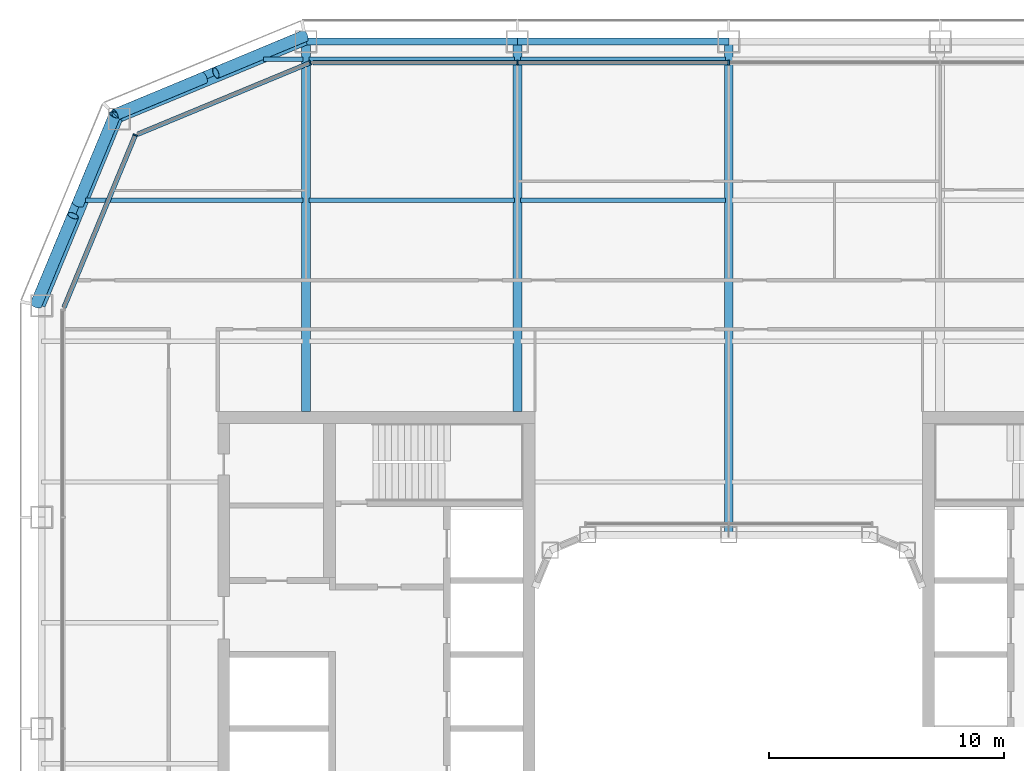
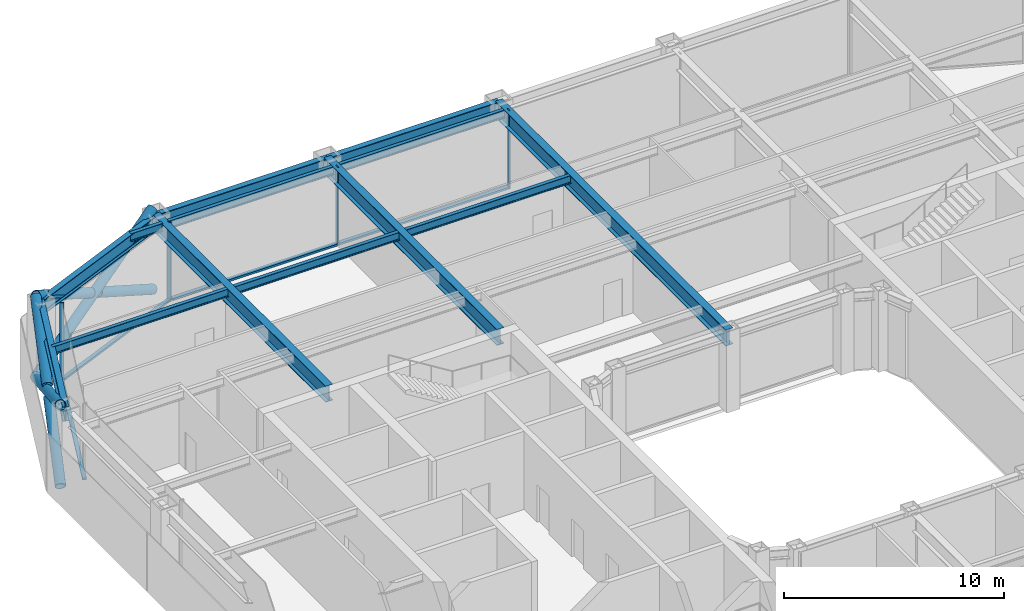
# One storey, part 7 of 21: 14 members, 13 beams, 3 elements without a shape of their own.
"""IFC4 building model written with IfcOpenShell, lengths in metres."""

from ifc_helpers import new_model, si_unit, direction, frame, origin, origin_2d, place, context, subcontext, project, spatial, rectangle, hollow_circle, i_section, extrude, material, layer, layer_set, material_profile, profile_set, type_object, element, aggregate, save


model = new_model("IFC4")

# Units and contexts
model_context = context("Model", 3, precision=1e-05, world=origin(), true_north=direction((0.0, 1.0)))
body_context = subcontext(model_context, "Body", "Model", "MODEL_VIEW")
ifc_project = project(units=[si_unit("LENGTHUNIT", "METRE"), si_unit("AREAUNIT", "SQUARE_METRE"), si_unit("VOLUMEUNIT", "CUBIC_METRE"), si_unit("PLANEANGLEUNIT", "RADIAN"), si_unit("MASSUNIT", "GRAM", prefix="KILO")], contexts=[model_context])

# Site, building, storey
site_placement = place(None, origin())
site = spatial("IfcSite", under=ifc_project, at=site_placement, CompositionType="ELEMENT")
building_placement = place(site_placement, origin())
building = spatial("IfcBuilding", under=site, at=building_placement, Name="Siwar Civic Tower", CompositionType="ELEMENT")
storey_placement = place(building_placement, frame((0.0, 0.0, 104.699951171875)))
storey = spatial("IfcBuildingStorey", under=building, at=storey_placement, Name="L22", CompositionType="ELEMENT", Elevation=104.699951171875)

# Curtain wall, members
ifc_material_1 = material(Name="Aluminium and glass", Category="aluminium")
ifc_layer_1 = layer(ifc_material_1, 0.199951171875)
ifc_layer_set_1 = layer_set([ifc_layer_1], Name="Aluminium and glass")
curtain_wall_type_1 = type_object("IfcCurtainWallType", Name="ENV-CW-B", PredefinedType="NOTDEFINED", material=ifc_layer_set_1)
curtain_wall_1_placement = place(storey_placement, origin())
curtain_wall_1 = element("IfcCurtainWall", 1, at=curtain_wall_1_placement, inside=storey, type_object=curtain_wall_type_1, Name="Curtain wall B N", PredefinedType="NOTDEFINED")
ifc_material_2 = material(Name="Aluminium 6063-T6", Category="aluminium")
ifc_material_profile_1 = material_profile(ifc_material_2, rectangle(XDim=0.199951171875, YDim=0.06494140625, at=origin_2d()), Name="AL 200x65")
ifc_profile_set_1 = profile_set([ifc_material_profile_1], Name="Aluminium 6063-T6")
member_type_1 = type_object("IfcMemberType", Name="ENV-MULLION-B", PredefinedType="MULLION", material=ifc_profile_set_1)
member_1_placement = place(storey_placement, frame((0.0, 28.35009765625, 0.0), z_axis=(0.0, 0.0, 1.0), x_axis=(0.0, -1.0, 0.0)))
member_1 = element("IfcMember", 2, at=member_1_placement, type_object=member_type_1, Name="Mullion B N 3", PredefinedType="MULLION", context=body_context, shape_type="SweptSolid", body=[
    extrude(rectangle(XDim=0.199951171875, YDim=0.06494140625, at=origin_2d()), origin(), (0.0, 0.0, 1.0), 4.35009765625),
])
member_2_placement = place(storey_placement, frame((-9.0, 28.35009765625, 0.0), z_axis=(0.0, 0.0, 1.0), x_axis=(0.0, -1.0, 0.0)))
member_2 = element("IfcMember", 3, at=member_2_placement, type_object=member_type_1, Name="Mullion B N 4", PredefinedType="MULLION", context=body_context, shape_type="SweptSolid", body=[
    extrude(rectangle(XDim=0.199951171875, YDim=0.06494140625, at=origin_2d()), origin(), (0.0, 0.0, 1.0), 4.35009765625),
])

# Curtain wall, member
ifc_material_3 = material(Name="Aluminium clad insulated panel", Category="aluminium")
ifc_layer_2 = layer(ifc_material_3, 0.199951171875)
ifc_layer_set_2 = layer_set([ifc_layer_2], Name="Aluminium clad insulated panel")
curtain_wall_type_2 = type_object("IfcCurtainWallType", Name="ENV-CW-BX", PredefinedType="NOTDEFINED", material=ifc_layer_set_2)
curtain_wall_2_placement = place(storey_placement, origin())
curtain_wall_2 = element("IfcCurtainWall", 4, at=curtain_wall_2_placement, inside=storey, type_object=curtain_wall_type_2, Name="Curtain wall B NW1", PredefinedType="NOTDEFINED")
member_3_placement = place(storey_placement, frame((-17.821044921875, 28.35009765625, 0.0), z_axis=(0.0, 0.0, 1.0), x_axis=(0.382683432365, -0.923879532511, 0.0)))
member_3 = element("IfcMember", 5, at=member_3_placement, type_object=member_type_1, Name="Mullion B NW1 1", PredefinedType="MULLION", context=body_context, shape_type="SweptSolid", body=[
    extrude(rectangle(XDim=0.199951171875, YDim=0.06494140625, at=origin_2d()), origin(), (0.0, 0.0, 1.0), 4.35009765625),
])

curtain_wall_3_placement = place(storey_placement, origin())
curtain_wall_3 = element("IfcCurtainWall", 6, at=curtain_wall_3_placement, inside=storey, type_object=curtain_wall_type_2, Name="Curtain wall B NW2", PredefinedType="NOTDEFINED")
member_4_placement = place(storey_placement, frame((-25.26611328125, 25.26611328125, 0.0), z_axis=(0.0, 0.0, 1.0), x_axis=(0.923879532511, -0.382683432365, 0.0)))
member_4 = element("IfcMember", 7, at=member_4_placement, type_object=member_type_1, Name="Mullion B NW2 1", PredefinedType="MULLION", context=body_context, shape_type="SweptSolid", body=[
    extrude(rectangle(XDim=0.199951171875, YDim=0.06494140625, at=origin_2d()), origin(), (0.0, 0.0, 1.0), 4.35009765625),
])

# Member
ifc_material_4 = material(Name="Aluminium 6063-T6", Category="aluminium")
ifc_material_profile_2 = material_profile(ifc_material_4, rectangle(XDim=0.199951171875, YDim=0.110107421875, at=origin_2d()), Name="AL 200x110")
ifc_profile_set_2 = profile_set([ifc_material_profile_2], Name="Aluminium 6063-T6")
member_type_2 = type_object("IfcMemberType", Name="ENV-TRANSOM-B", PredefinedType="USERDEFINED", material=ifc_profile_set_2)
member_5_placement = place(storey_placement, frame((-0.032470703125, 28.35009765625, 0.054931640625), z_axis=(-1.0, 0.0, 0.0), x_axis=(0.0, -1.0, 0.0)))
member_5 = element("IfcMember", 8, at=member_5_placement, type_object=member_type_2, Name="Transom B N 3", ObjectType="TRANSOM", PredefinedType="USERDEFINED", context=body_context, shape_type="SweptSolid", body=[
    extrude(rectangle(XDim=0.199951171875, YDim=0.110107421875, at=origin_2d()), origin(), (0.0, 0.0, 1.0), 8.93505859375),
])

member_6_placement = place(storey_placement, frame((-9.032470703125, 28.35009765625, 0.054931640625), z_axis=(-1.0, 0.0, 0.0), x_axis=(0.0, -1.0, 0.0)))
member_6 = element("IfcMember", 9, at=member_6_placement, type_object=member_type_2, Name="Transom B N 4", ObjectType="TRANSOM", PredefinedType="USERDEFINED", context=body_context, shape_type="SweptSolid", body=[
    extrude(rectangle(XDim=0.199951171875, YDim=0.110107421875, at=origin_2d()), origin(), (0.0, 0.0, 1.0), 8.6748046875),
])

aggregate(curtain_wall_1, [member_1, member_2, member_5, member_6])

member_7_placement = place(storey_placement, frame((-17.85107421875, 28.337646484375, 0.054931640625), z_axis=(-0.92387279587, -0.382699695651, 0.0), x_axis=(0.382699695651, -0.92387279587, 0.0)))
member_7 = element("IfcMember", 10, at=member_7_placement, type_object=member_type_2, Name="Transom B NW1 1", ObjectType="TRANSOM", PredefinedType="USERDEFINED", context=body_context, shape_type="SweptSolid", body=[
    extrude(rectangle(XDim=0.199951171875, YDim=0.110107421875, at=origin_2d()), origin(), (0.0, 0.0, 1.0), 7.912353515625),
])

aggregate(curtain_wall_2, [member_3, member_7])

member_8_placement = place(storey_placement, frame((-25.278564453125, 25.236083984375, 0.054931640625), z_axis=(-0.382673358825, -0.923883705044, 0.0), x_axis=(0.923883705044, -0.382673358825, 0.0)))
member_8 = element("IfcMember", 11, at=member_8_placement, type_object=member_type_2, Name="Transom B NW2 1", ObjectType="TRANSOM", PredefinedType="USERDEFINED", context=body_context, shape_type="SweptSolid", body=[
    extrude(rectangle(XDim=0.199951171875, YDim=0.110107421875, at=origin_2d()), origin(), (0.0, 0.0, 1.0), 7.912353515625),
])

aggregate(curtain_wall_3, [member_4, member_8])

# Members
ifc_material_5 = material(Name="Steel S355", Category="steel")
ifc_material_profile_3 = material_profile(ifc_material_5, hollow_circle(Radius=0.25390625, WallThickness=0.02490234375, at=origin_2d()), Name="CHS508x25")
ifc_profile_set_3 = profile_set([ifc_material_profile_3], Name="Steel S355")
member_type_3 = type_object("IfcMemberType", Name="STR-BR-CHS508x25", PredefinedType="BRACE", material=ifc_profile_set_3)
member_9_placement = place(storey_placement, frame((-26.1318359375, 26.1318359375, 0.0), z_axis=(-0.341671493852, -0.821142553604, 0.457149315816), x_axis=(0.923264922524, -0.384163874976, 0.0)))
element("IfcMember", 12, at=member_9_placement, inside=storey, type_object=member_type_3, Name="L22/brc/BNW1-1-0-1", PredefinedType="BRACE", context=body_context, shape_type="SweptSolid", body=[
    extrude(hollow_circle(Radius=0.25390625, WallThickness=0.02490234375, at=origin_2d()), origin(), (0.0, 0.0, 1.0), 9.843505859375),
])
for number, where, z_axis, x_axis, name in (
    (13, (-29.4951171875, 18.048828125, 0.0), (0.341677318012, 0.821126041429, 0.457174621391), (-0.923259859753, 0.384176042158, 0.0), "L22/brc/BNW1-1-0-2"),
    (14, (-27.70849609375, 22.342529296875, 2.390625), (0.341670737976, 0.821163134736, 0.457112910516), (-0.923268638995, 0.384154943021, 0.0), "L22/brc/BNW1-1-0-3"),
):
    element("IfcMember", number, at=place(storey_placement, frame(where, z_axis=z_axis, x_axis=x_axis)), inside=storey, type_object=member_type_3, Name=name, PredefinedType="BRACE", context=body_context, shape_type="SweptSolid", body=[
        extrude(hollow_circle(Radius=0.25390625, WallThickness=0.02490234375, at=origin_2d()), origin(), (0.0, 0.0, 1.0), 4.614501953125),
    ])
member_10_placement = place(storey_placement, frame((-26.1318359375, 26.1318359375, 0.0), z_axis=(0.821142553604, 0.341671493852, 0.457149315816), x_axis=(-0.384163874976, 0.923264922524, 0.0)))
element("IfcMember", 15, at=member_10_placement, inside=storey, type_object=member_type_3, Name="L22/brc/BNW1-1-0-0", PredefinedType="BRACE", context=body_context, shape_type="SweptSolid", body=[
    extrude(hollow_circle(Radius=0.25390625, WallThickness=0.02490234375, at=origin_2d()), origin(), (0.0, 0.0, 1.0), 9.843505859375),
])
for number, where, z_axis, x_axis, name in (
    (16, (-18.048828125, 29.4951171875, 0.0), (-0.821126041429, -0.341677318012, 0.457174621391), (0.384176042158, -0.923259859753, 0.0), "L22/brc/BNW1-1-0-4"),
    (17, (-22.342529296875, 27.70849609375, 2.390625), (-0.821163134736, -0.341670737976, 0.457112910516), (0.384154943021, -0.923268638995, 0.0), "L22/brc/BNW1-1-0-5"),
):
    element("IfcMember", number, at=place(storey_placement, frame(where, z_axis=z_axis, x_axis=x_axis)), inside=storey, type_object=member_type_3, Name=name, PredefinedType="BRACE", context=body_context, shape_type="SweptSolid", body=[
        extrude(hollow_circle(Radius=0.25390625, WallThickness=0.02490234375, at=origin_2d()), origin(), (0.0, 0.0, 1.0), 4.614501953125),
    ])

# Beams
ifc_material_6 = material(Name="Steel S355", Category="steel")
ifc_material_profile_4 = material_profile(ifc_material_6, i_section(OverallWidth=0.18994140625, OverallDepth=0.449951171875, WebThickness=0.009521484375, FlangeThickness=0.0146484375, FilletRadius=0.02099609375, at=origin_2d()), Name="IPE450")
ifc_profile_set_4 = profile_set([ifc_material_profile_4], Name="Steel S355")
beam_type_1 = type_object("IfcBeamType", Name="STR-FB-IPE450", PredefinedType="JOIST", material=ifc_profile_set_4)
beam_1_placement = place(storey_placement, frame((-27.385986328125, 22.5, 4.125), z_axis=(1.0, 0.0, 0.0), x_axis=(0.0, 1.0, 0.0)))
element("IfcBeam", 18, at=beam_1_placement, inside=storey, type_object=beam_type_1, Name="L22/bm/F037", PredefinedType="JOIST", context=body_context, shape_type="SweptSolid", body=[
    extrude(i_section(OverallWidth=0.18994140625, OverallDepth=0.449951171875, WebThickness=0.009521484375, FlangeThickness=0.0146484375, FilletRadius=0.02099609375, at=origin_2d()), origin(), (0.0, 0.0, 1.0), 9.256103515625),
])
for number, where, z_axis, x_axis, name in (
    (19, (-17.8701171875, 22.5, 4.125), (1.0, 0.0, 0.0), (0.0, 1.0, 0.0), "L22/bm/F038"),
    (20, (-8.8701171875, 22.5, 4.125), (1.0, 0.0, 0.0), (0.0, 1.0, 0.0), "L22/bm/F039"),
):
    element("IfcBeam", number, at=place(storey_placement, frame(where, z_axis=z_axis, x_axis=x_axis)), inside=storey, type_object=beam_type_1, Name=name, PredefinedType="JOIST", context=body_context, shape_type="SweptSolid", body=[
        extrude(i_section(OverallWidth=0.18994140625, OverallDepth=0.449951171875, WebThickness=0.009521484375, FlangeThickness=0.0146484375, FilletRadius=0.02099609375, at=origin_2d()), origin(), (0.0, 0.0, 1.0), 8.740234375),
    ])
beam_2_placement = place(storey_placement, frame((-19.810546875, 28.5, 4.125), z_axis=(1.0, 0.0, 0.0), x_axis=(0.0, 1.0, 0.0)))
element("IfcBeam", 21, at=beam_2_placement, inside=storey, type_object=beam_type_1, Name="L22/bm/F043", PredefinedType="JOIST", context=body_context, shape_type="SweptSolid", body=[
    extrude(i_section(OverallWidth=0.18994140625, OverallDepth=0.449951171875, WebThickness=0.009521484375, FlangeThickness=0.0146484375, FilletRadius=0.02099609375, at=origin_2d()), origin(), (0.0, 0.0, 1.0), 1.6806640625),
])
for number, where, z_axis, x_axis, name in (
    (22, (-17.8701171875, 28.5, 4.125), (1.0, 0.0, 0.0), (0.0, 1.0, 0.0), "L22/bm/F044"),
    (23, (-8.8701171875, 28.5, 4.125), (1.0, 0.0, 0.0), (0.0, 1.0, 0.0), "L22/bm/F045"),
):
    element("IfcBeam", number, at=place(storey_placement, frame(where, z_axis=z_axis, x_axis=x_axis)), inside=storey, type_object=beam_type_1, Name=name, PredefinedType="JOIST", context=body_context, shape_type="SweptSolid", body=[
        extrude(i_section(OverallWidth=0.18994140625, OverallDepth=0.449951171875, WebThickness=0.009521484375, FlangeThickness=0.0146484375, FilletRadius=0.02099609375, at=origin_2d()), origin(), (0.0, 0.0, 1.0), 8.740234375),
    ])
ifc_material_7 = material(Name="Steel S355", Category="steel")
ifc_material_profile_5 = material_profile(ifc_material_7, i_section(OverallWidth=0.3798828125, OverallDepth=0.89990234375, WebThickness=0.01611328125, FlangeThickness=0.035888671875, at=origin_2d()), Name="PG900x380x16x36")
ifc_profile_set_5 = profile_set([ifc_material_profile_5], Name="Steel S355")
beam_type_2 = type_object("IfcBeamType", Name="STR-PG-PG900x380x16x36", PredefinedType="BEAM", material=ifc_profile_set_5)
for number, where, z_axis, x_axis, name in (
    (24, (-18.0, 13.5, 3.900146484375), (0.0, 1.0, 0.0), (-1.0, 0.0, 0.0), "L22/bm/G02"),
    (25, (-9.0, 13.5, 3.900146484375), (0.0, 1.0, 0.0), (-1.0, 0.0, 0.0), "L22/bm/G04"),
):
    element("IfcBeam", number, at=place(storey_placement, frame(where, z_axis=z_axis, x_axis=x_axis)), inside=storey, type_object=beam_type_2, Name=name, PredefinedType="BEAM", context=body_context, shape_type="SweptSolid", body=[
        extrude(i_section(OverallWidth=0.3798828125, OverallDepth=0.89990234375, WebThickness=0.01611328125, FlangeThickness=0.035888671875, at=origin_2d()), origin(), (0.0, 0.0, 1.0), 15.75),
    ])
beam_3_placement = place(storey_placement, frame((0.0, 8.25, 3.900146484375), z_axis=(0.0, 1.0, 0.0), x_axis=(-1.0, 0.0, 0.0)))
element("IfcBeam", 26, at=beam_3_placement, inside=storey, type_object=beam_type_2, Name="L22/bm/G06", PredefinedType="BEAM", context=body_context, shape_type="SweptSolid", body=[
    extrude(i_section(OverallWidth=0.3798828125, OverallDepth=0.89990234375, WebThickness=0.01611328125, FlangeThickness=0.035888671875, at=origin_2d()), origin(), (0.0, 0.0, 1.0), 21.0),
])
ifc_material_8 = material(Name="Steel S355", Category="steel")
ifc_material_profile_6 = material_profile(ifc_material_8, i_section(OverallWidth=0.300048828125, OverallDepth=0.800048828125, WebThickness=0.017578125, FlangeThickness=0.032958984375, FilletRadius=0.030029296875, at=origin_2d()), Name="HEB800")
ifc_profile_set_6 = profile_set([ifc_material_profile_6], Name="Steel S355")
beam_type_3 = type_object("IfcBeamType", Name="STR-SB-HEB800", PredefinedType="BEAM", material=ifc_profile_set_6)
for number, where, z_axis, x_axis, name in (
    (27, (0.0, 29.25, 3.949951171875), (-1.0, 0.0, 0.0), (0.0, -1.0, 0.0), "L22/bm/SN-2"),
    (28, (-9.0, 29.25, 3.949951171875), (-1.0, 0.0, 0.0), (0.0, -1.0, 0.0), "L22/bm/SN-3"),
):
    element("IfcBeam", number, at=place(storey_placement, frame(where, z_axis=z_axis, x_axis=x_axis)), inside=storey, type_object=beam_type_3, Name=name, PredefinedType="BEAM", context=body_context, shape_type="SweptSolid", body=[
        extrude(i_section(OverallWidth=0.300048828125, OverallDepth=0.800048828125, WebThickness=0.017578125, FlangeThickness=0.032958984375, FilletRadius=0.030029296875, at=origin_2d()), origin(), (0.0, 0.0, 1.0), 9.0),
    ])
for number, where, z_axis, x_axis, name in (
    (29, (-18.0, 29.25, 3.949951171875), (-0.923872720536, -0.382699877515, 0.0), (0.382699877515, -0.923872720536, 0.0), "L22/bm/SNW1-0"),
    (30, (-25.954833984375, 25.954833984375, 3.949951171875), (-0.382699877515, -0.923872720536, 0.0), (0.923872720536, -0.382699877515, 0.0), "L22/bm/SNW2-0"),
):
    element("IfcBeam", number, at=place(storey_placement, frame(where, z_axis=z_axis, x_axis=x_axis)), inside=storey, type_object=beam_type_3, Name=name, PredefinedType="BEAM", context=body_context, shape_type="SweptSolid", body=[
        extrude(i_section(OverallWidth=0.300048828125, OverallDepth=0.800048828125, WebThickness=0.017578125, FlangeThickness=0.032958984375, FilletRadius=0.030029296875, at=origin_2d()), origin(), (0.0, 0.0, 1.0), 8.6103515625),
    ])

save(model, "model.ifc")
